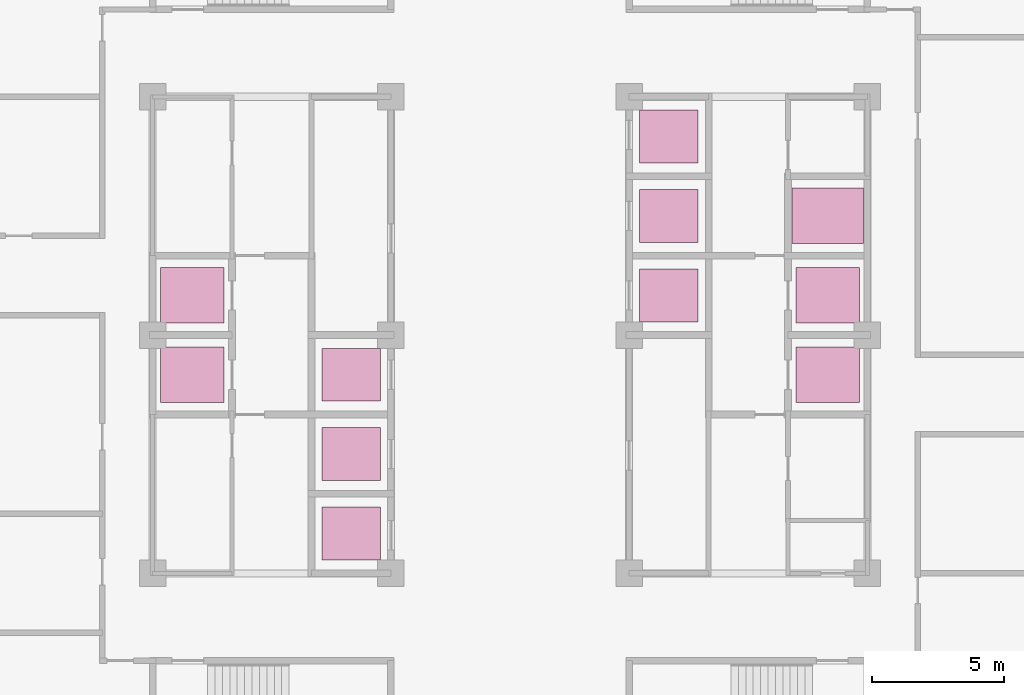
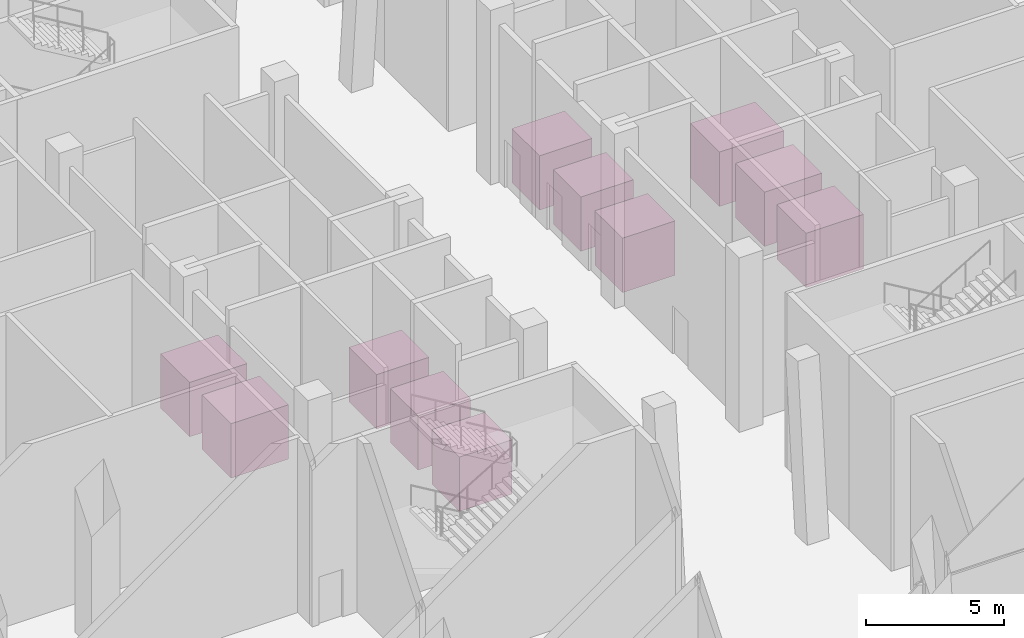
# One storey, part 24 of 24: 11 transport elements.
"""IFC4 building model written with IfcOpenShell, lengths in metres."""

from ifc_helpers import new_model, si_unit, direction, frame, origin, origin_2d, place, context, subcontext, project, spatial, rectangle, extrude, material, type_object, element, save


model = new_model("IFC4")

# Units and contexts
model_context = context("Model", 3, precision=1e-05, world=origin(), true_north=direction((0.0, 1.0)))
body_context = subcontext(model_context, "Body", "Model", "MODEL_VIEW")
ifc_project = project(units=[si_unit("LENGTHUNIT", "METRE"), si_unit("AREAUNIT", "SQUARE_METRE"), si_unit("VOLUMEUNIT", "CUBIC_METRE"), si_unit("PLANEANGLEUNIT", "RADIAN"), si_unit("MASSUNIT", "GRAM", prefix="KILO")], contexts=[model_context])

# Site, building, storey
site_placement = place(None, origin())
site = spatial("IfcSite", under=ifc_project, at=site_placement, CompositionType="ELEMENT")
building_placement = place(site_placement, origin())
building = spatial("IfcBuilding", under=site, at=building_placement, Name="Corbelhall Arena Tower", CompositionType="ELEMENT")
storey_placement = place(building_placement, frame((0.0, 0.0, 60.0)))
storey = spatial("IfcBuildingStorey", under=building, at=storey_placement, Name="L08", CompositionType="ELEMENT", Elevation=60.0)

# Transport elements
ifc_material = material(Name="Stainless steel A4", Category="steel")
transport_element_type_1 = type_object("IfcTransportElementType", Name="IN-LF-FF", PredefinedType="ELEVATOR", material=ifc_material)
for number, where, z_axis, x_axis, name in (
    (1, (12.0, -1.5, -0.2099609375), (0.0, 0.0, 1.0), (1.0, 0.0, 0.0), "Fire-fighting lift FF1"),
    (2, (12.0, 1.5, -0.2099609375), (0.0, 0.0, 1.0), (1.0, 0.0, 0.0), "Fire-fighting lift FF2"),
    (3, (-12.0, -1.5, -0.2099609375), (0.0, 0.0, 1.0), (1.0, 0.0, 0.0), "Fire-fighting lift FF3"),
    (4, (-12.0, 1.5, -0.2099609375), (0.0, 0.0, 1.0), (1.0, 0.0, 0.0), "Fire-fighting lift FF4"),
):
    element("IfcTransportElement", number, at=place(storey_placement, frame(where, z_axis=z_axis, x_axis=x_axis)), inside=storey, type_object=transport_element_type_1, Name=name, PredefinedType="ELEVATOR", context=body_context, shape_type="SweptSolid", body=[
        extrude(rectangle(XDim=2.39990234375, YDim=2.10009765625, at=origin_2d()), origin(), (0.0, 0.0, 1.0), 2.39990234375),
    ])
transport_element_type_2 = type_object("IfcTransportElementType", Name="IN-LF-PASS", PredefinedType="ELEVATOR", material=ifc_material)
for number, where, z_axis, x_axis, name in (
    (5, (6.0, 1.5, -0.2099609375), (0.0, 0.0, 1.0), (1.0, 0.0, 0.0), "Passenger lift low-rise PL1"),
    (6, (6.0, 4.5, -0.2099609375), (0.0, 0.0, 1.0), (1.0, 0.0, 0.0), "Passenger lift low-rise PL2"),
    (7, (6.0, 7.5, -0.2099609375), (0.0, 0.0, 1.0), (1.0, 0.0, 0.0), "Passenger lift low-rise PL3"),
    (8, (-6.0, -7.5, -0.2099609375), (0.0, 0.0, 1.0), (1.0, 0.0, 0.0), "Passenger lift low-rise PL4"),
    (9, (-6.0, -4.5, -0.2099609375), (0.0, 0.0, 1.0), (1.0, 0.0, 0.0), "Passenger lift low-rise PL5"),
    (10, (-6.0, -1.5, -0.2099609375), (0.0, 0.0, 1.0), (1.0, 0.0, 0.0), "Passenger lift low-rise PL6"),
):
    element("IfcTransportElement", number, at=place(storey_placement, frame(where, z_axis=z_axis, x_axis=x_axis)), inside=storey, type_object=transport_element_type_2, Name=name, PredefinedType="ELEVATOR", context=body_context, shape_type="SweptSolid", body=[
        extrude(rectangle(XDim=2.199951171875, YDim=2.0, at=origin_2d()), origin(), (0.0, 0.0, 1.0), 2.39990234375),
    ])
transport_element_type_3 = type_object("IfcTransportElementType", Name="IN-LF-SV", PredefinedType="ELEVATOR", material=ifc_material)
transport_element_placement = place(storey_placement, frame((12.0, 4.5, -0.2099609375), z_axis=(0.0, 0.0, 1.0), x_axis=(1.0, 0.0, 0.0)))
element("IfcTransportElement", 11, at=transport_element_placement, inside=storey, type_object=transport_element_type_3, Name="Service lift SL1", PredefinedType="ELEVATOR", context=body_context, shape_type="SweptSolid", body=[
    extrude(rectangle(XDim=2.699951171875, YDim=2.10009765625, at=origin_2d()), origin(), (0.0, 0.0, 1.0), 2.39990234375),
])

save(model, "model.ifc")
